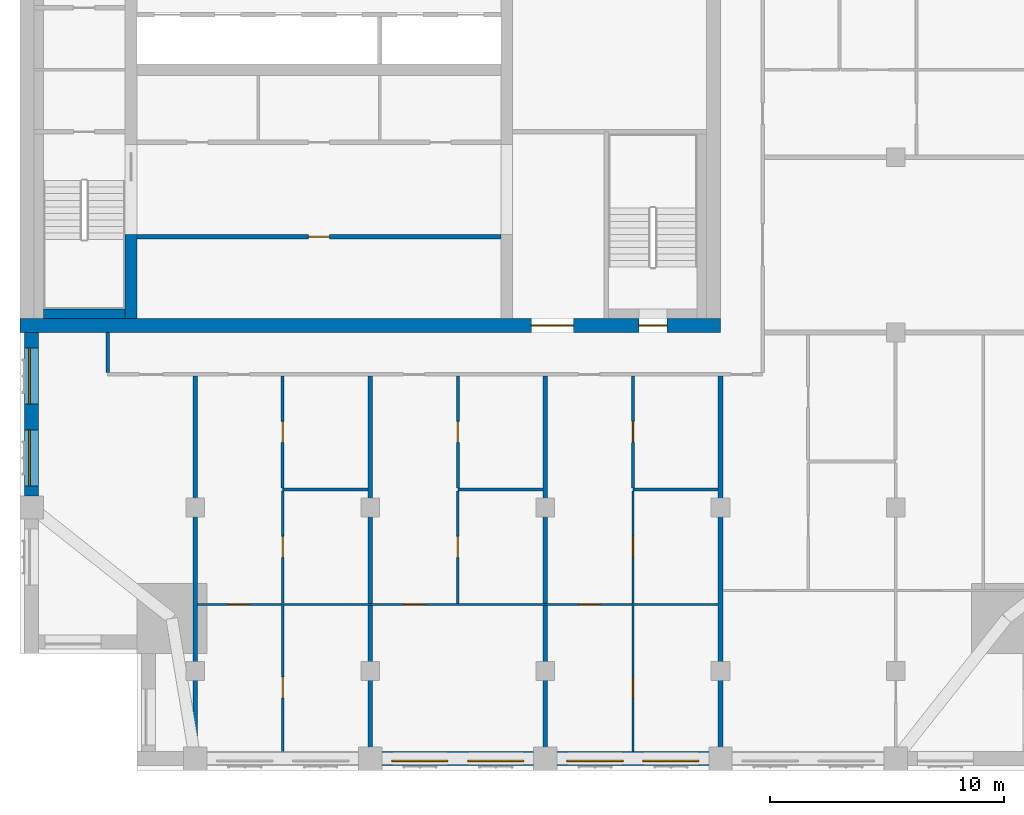
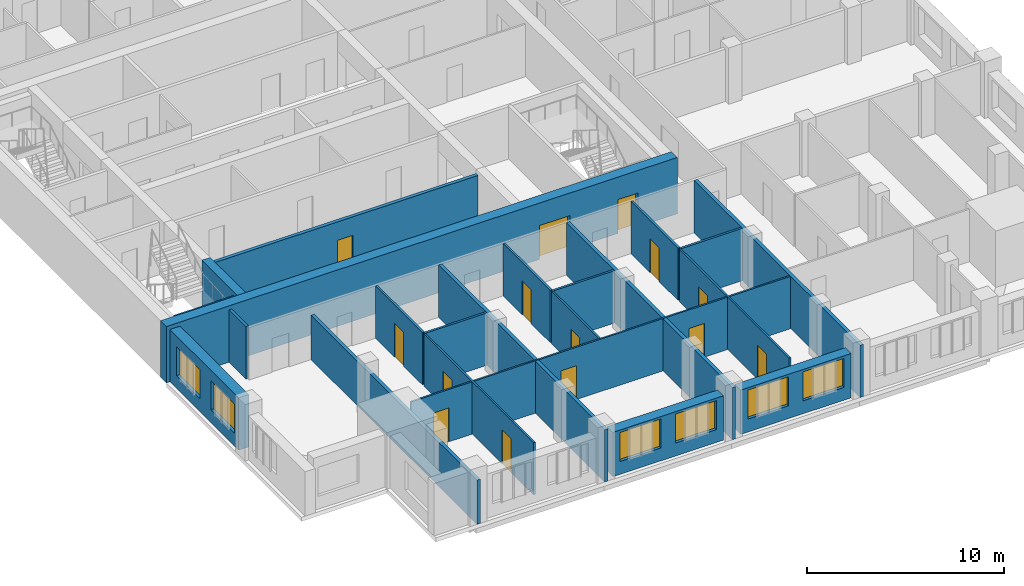
# One storey, part 3 of 11: 22 walls, 14 doors, 6 windows, 20 openings.
"""IFC4 building model written with IfcOpenShell, lengths in metres."""

from ifc_helpers import new_model, si_unit, direction, frame, frame_2d, origin, place, context, subcontext, project, spatial, rectangle, extrude, material, layer, layer_set, type_object, element, fill, save


model = new_model("IFC4")

# Units and contexts
model_context = context("Model", 3, precision=1e-05, world=origin(), true_north=direction((0.0, 1.0)))
body_context = subcontext(model_context, "Body", "Model", "MODEL_VIEW")
ifc_project = project(units=[si_unit("LENGTHUNIT", "METRE"), si_unit("AREAUNIT", "SQUARE_METRE"), si_unit("VOLUMEUNIT", "CUBIC_METRE"), si_unit("PLANEANGLEUNIT", "RADIAN"), si_unit("MASSUNIT", "GRAM", prefix="KILO")], contexts=[model_context])

# Site, building, storey
site_placement = place(None, origin())
site = spatial("IfcSite", under=ifc_project, at=site_placement, CompositionType="ELEMENT")
building_placement = place(site_placement, origin())
building = spatial("IfcBuilding", under=site, at=building_placement, Name="Tamorin Gate", CompositionType="ELEMENT")
storey_placement = place(building_placement, frame((0.0, 0.0, 226.699951171875)))
storey = spatial("IfcBuildingStorey", under=building, at=storey_placement, Name="L56", CompositionType="ELEMENT", Elevation=226.699951171875)

# Wall, openings, windows
ifc_material_1 = material(Name="Precast concrete C40/50", Category="concrete")
ifc_layer_1 = layer(ifc_material_1, 0.60009765625)
ifc_layer_set_1 = layer_set([ifc_layer_1], Name="Precast concrete C40/50")
wall_type_1 = type_object("IfcWallType", Name="Board-marked concrete facade panel 600", PredefinedType="SOLIDWALL", material=ifc_layer_set_1)
wall_1_placement = place(storey_placement, frame((45.5, 41.75, 0.0), z_axis=(0.0, 0.0, 1.0), x_axis=(1.0, 0.0, 0.0)))
wall_1 = element("IfcWall", 1, at=wall_1_placement, inside=storey, type_object=wall_type_1, Name="Facade panel", PredefinedType="SOLIDWALL", context=body_context, shape_type="SweptSolid", body=[
    extrude(rectangle(XDim=6.5, YDim=0.60009765625, at=frame_2d((3.25, 0.0))), origin(), (0.0, 0.0, 1.0), 2.75),
])
opening_1_placement = place(wall_1_placement, frame((0.425048828125, 0.0, 0.800048828125)))
opening_1 = element("IfcOpeningElement", 2, at=opening_1_placement, cuts=wall_1, Name="Opening WN1", PredefinedType="OPENING", context=body_context, shape_type="SweptSolid", body=[
    extrude(rectangle(XDim=2.39990234375, YDim=1.800048828125, at=frame_2d((1.199951171875, 0.89990234375))), frame((0.0, 0.31005859375, 0.0), z_axis=(0.0, -1.0, 0.0), x_axis=(1.0, 0.0, 0.0)), (0.0, 0.0, 1.0), 0.6201171875),
])
opening_2_placement = place(wall_1_placement, frame((3.675048828125, 0.0, 0.800048828125)))
opening_2 = element("IfcOpeningElement", 3, at=opening_2_placement, cuts=wall_1, Name="Opening WN1", PredefinedType="OPENING", context=body_context, shape_type="SweptSolid", body=[
    extrude(rectangle(XDim=2.39990234375, YDim=1.800048828125, at=frame_2d((1.199951171875, 0.89990234375))), frame((0.0, 0.31005859375, 0.0), z_axis=(0.0, -1.0, 0.0), x_axis=(1.0, 0.0, 0.0)), (0.0, 0.0, 1.0), 0.6201171875),
])
ifc_material_2 = material(Name="Clear glass in aluminium frame", Category="aluminium")
window_type = type_object("IfcWindowType", Name="Deep-set window 2400x1800", PartitioningType="SINGLE_PANEL", PredefinedType="WINDOW", material=ifc_material_2)
window_1_placement = place(opening_1_placement, origin())
window_1 = element("IfcWindow", 4, at=window_1_placement, inside=storey, type_object=window_type, Name="Deep-set window", OverallHeight=1.800048828125, OverallWidth=2.39990234375, PartitioningType="SINGLE_PANEL", PredefinedType="WINDOW", context=body_context, shape_type="SweptSolid", body=[
    extrude(rectangle(XDim=2.39990234375, YDim=1.800048828125, at=frame_2d((1.199951171875, 0.89990234375))), frame((0.0, -0.070068359375, 0.0), z_axis=(0.0, -1.0, 0.0), x_axis=(1.0, 0.0, 0.0)), (0.0, 0.0, 1.0), 0.06005859375),
])
fill(opening_1, window_1)
window_2_placement = place(opening_2_placement, origin())
window_2 = element("IfcWindow", 5, at=window_2_placement, inside=storey, type_object=window_type, Name="Deep-set window", OverallHeight=1.800048828125, OverallWidth=2.39990234375, PartitioningType="SINGLE_PANEL", PredefinedType="WINDOW", context=body_context, shape_type="SweptSolid", body=[
    extrude(rectangle(XDim=2.39990234375, YDim=1.800048828125, at=frame_2d((1.199951171875, 0.89990234375))), frame((0.0, -0.070068359375, 0.0), z_axis=(0.0, -1.0, 0.0), x_axis=(1.0, 0.0, 0.0)), (0.0, 0.0, 1.0), 0.06005859375),
])
fill(opening_2, window_2)

wall_2_placement = place(storey_placement, frame((53.0, 41.75, 0.0), z_axis=(0.0, 0.0, 1.0), x_axis=(1.0, 0.0, 0.0)))
wall_2 = element("IfcWall", 6, at=wall_2_placement, inside=storey, type_object=wall_type_1, Name="Facade panel", PredefinedType="SOLIDWALL", context=body_context, shape_type="SweptSolid", body=[
    extrude(rectangle(XDim=6.5, YDim=0.60009765625, at=frame_2d((3.25, 0.0))), origin(), (0.0, 0.0, 1.0), 2.75),
])
opening_3_placement = place(wall_2_placement, frame((0.425048828125, 0.0, 0.800048828125)))
opening_3 = element("IfcOpeningElement", 7, at=opening_3_placement, cuts=wall_2, Name="Opening WN1", PredefinedType="OPENING", context=body_context, shape_type="SweptSolid", body=[
    extrude(rectangle(XDim=2.39990234375, YDim=1.800048828125, at=frame_2d((1.199951171875, 0.89990234375))), frame((0.0, 0.31005859375, 0.0), z_axis=(0.0, -1.0, 0.0), x_axis=(1.0, 0.0, 0.0)), (0.0, 0.0, 1.0), 0.6201171875),
])
opening_4_placement = place(wall_2_placement, frame((3.675048828125, 0.0, 0.800048828125)))
opening_4 = element("IfcOpeningElement", 8, at=opening_4_placement, cuts=wall_2, Name="Opening WN1", PredefinedType="OPENING", context=body_context, shape_type="SweptSolid", body=[
    extrude(rectangle(XDim=2.39990234375, YDim=1.800048828125, at=frame_2d((1.199951171875, 0.89990234375))), frame((0.0, 0.31005859375, 0.0), z_axis=(0.0, -1.0, 0.0), x_axis=(1.0, 0.0, 0.0)), (0.0, 0.0, 1.0), 0.6201171875),
])
window_3_placement = place(opening_3_placement, origin())
window_3 = element("IfcWindow", 9, at=window_3_placement, inside=storey, type_object=window_type, Name="Deep-set window", OverallHeight=1.800048828125, OverallWidth=2.39990234375, PartitioningType="SINGLE_PANEL", PredefinedType="WINDOW", context=body_context, shape_type="SweptSolid", body=[
    extrude(rectangle(XDim=2.39990234375, YDim=1.800048828125, at=frame_2d((1.199951171875, 0.89990234375))), frame((0.0, -0.070068359375, 0.0), z_axis=(0.0, -1.0, 0.0), x_axis=(1.0, 0.0, 0.0)), (0.0, 0.0, 1.0), 0.06005859375),
])
fill(opening_3, window_3)
window_4_placement = place(opening_4_placement, origin())
window_4 = element("IfcWindow", 10, at=window_4_placement, inside=storey, type_object=window_type, Name="Deep-set window", OverallHeight=1.800048828125, OverallWidth=2.39990234375, PartitioningType="SINGLE_PANEL", PredefinedType="WINDOW", context=body_context, shape_type="SweptSolid", body=[
    extrude(rectangle(XDim=2.39990234375, YDim=1.800048828125, at=frame_2d((1.199951171875, 0.89990234375))), frame((0.0, -0.070068359375, 0.0), z_axis=(0.0, -1.0, 0.0), x_axis=(1.0, 0.0, 0.0)), (0.0, 0.0, 1.0), 0.06005859375),
])
fill(opening_4, window_4)

wall_3_placement = place(storey_placement, frame((30.5, 60.0, 0.0), z_axis=(0.0, 0.0, 1.0), x_axis=(0.0, -1.0, 0.0)))
wall_3 = element("IfcWall", 11, at=wall_3_placement, inside=storey, type_object=wall_type_1, Name="Facade panel", PredefinedType="SOLIDWALL", context=body_context, shape_type="SweptSolid", body=[
    extrude(rectangle(XDim=7.0, YDim=0.60009765625, at=frame_2d((3.5, 0.0))), origin(), (0.0, 0.0, 1.0), 3.25),
])
opening_5_placement = place(wall_3_placement, frame((4.175048828125, 0.0, 0.800048828125)))
opening_5 = element("IfcOpeningElement", 12, at=opening_5_placement, cuts=wall_3, Name="Opening WN1", PredefinedType="OPENING", context=body_context, shape_type="SweptSolid", body=[
    extrude(rectangle(XDim=2.39990234375, YDim=1.800048828125, at=frame_2d((1.199951171875, 0.89990234375))), frame((0.0, 0.31005859375, 0.0), z_axis=(0.0, -1.0, 0.0), x_axis=(1.0, 0.0, 0.0)), (0.0, 0.0, 1.0), 0.6201171875),
])
opening_6_placement = place(wall_3_placement, frame((0.675048828125, 0.0, 0.800048828125)))
opening_6 = element("IfcOpeningElement", 13, at=opening_6_placement, cuts=wall_3, Name="Opening WN1", PredefinedType="OPENING", context=body_context, shape_type="SweptSolid", body=[
    extrude(rectangle(XDim=2.39990234375, YDim=1.800048828125, at=frame_2d((1.199951171875, 0.89990234375))), frame((0.0, 0.31005859375, 0.0), z_axis=(0.0, -1.0, 0.0), x_axis=(1.0, 0.0, 0.0)), (0.0, 0.0, 1.0), 0.6201171875),
])
window_5_placement = place(opening_5_placement, origin())
window_5 = element("IfcWindow", 14, at=window_5_placement, inside=storey, type_object=window_type, Name="Deep-set window", OverallHeight=1.800048828125, OverallWidth=2.39990234375, PartitioningType="SINGLE_PANEL", PredefinedType="WINDOW", context=body_context, shape_type="SweptSolid", body=[
    extrude(rectangle(XDim=2.39990234375, YDim=1.800048828125, at=frame_2d((1.199951171875, 0.89990234375))), frame((0.0, -0.070068359375, 0.0), z_axis=(0.0, -1.0, 0.0), x_axis=(1.0, 0.0, 0.0)), (0.0, 0.0, 1.0), 0.06005859375),
])
fill(opening_5, window_5)
window_6_placement = place(opening_6_placement, origin())
window_6 = element("IfcWindow", 15, at=window_6_placement, inside=storey, type_object=window_type, Name="Deep-set window", OverallHeight=1.800048828125, OverallWidth=2.39990234375, PartitioningType="SINGLE_PANEL", PredefinedType="WINDOW", context=body_context, shape_type="SweptSolid", body=[
    extrude(rectangle(XDim=2.39990234375, YDim=1.800048828125, at=frame_2d((1.199951171875, 0.89990234375))), frame((0.0, -0.070068359375, 0.0), z_axis=(0.0, -1.0, 0.0), x_axis=(1.0, 0.0, 0.0)), (0.0, 0.0, 1.0), 0.06005859375),
])
fill(opening_6, window_6)

# Walls
ifc_material_3 = material(Name="Gypsum board partition")
ifc_layer_2 = layer(ifc_material_3, 0.14990234375)
ifc_layer_set_2 = layer_set([ifc_layer_2], Name="Corridor wall 150")
wall_type_2 = type_object("IfcWallType", Name="Corridor wall 150", PredefinedType="PARTITIONING", material=ifc_layer_set_2)
wall_4_placement = place(storey_placement, frame((33.75, 58.27490234375, 0.0), z_axis=(0.0, 0.0, 1.0), x_axis=(0.0, 1.0, 0.0)))
element("IfcWall", 16, at=wall_4_placement, inside=storey, type_object=wall_type_2, Name="Corridor wall 150", PredefinedType="PARTITIONING", context=body_context, shape_type="SweptSolid", body=[
    extrude(rectangle(XDim=1.72509765625, YDim=0.14990234375, at=frame_2d((0.862548828125, 0.0))), origin(), (0.0, 0.0, 1.0), 3.25),
])
ifc_layer_3 = layer(ifc_material_3, 0.199951171875)
ifc_layer_set_3 = layer_set([ifc_layer_3], Name="Demising wall 200")
wall_type_3 = type_object("IfcWallType", Name="Demising wall 200", PredefinedType="PARTITIONING", material=ifc_layer_set_3)
wall_5_placement = place(storey_placement, frame((37.5, 41.25, 0.0), z_axis=(0.0, 0.0, 1.0), x_axis=(0.0, 1.0, 0.0)))
element("IfcWall", 17, at=wall_5_placement, inside=storey, type_object=wall_type_3, Name="Demising wall 200", PredefinedType="PARTITIONING", context=body_context, shape_type="SweptSolid", body=[
    extrude(rectangle(XDim=16.875, YDim=0.199951171875, at=frame_2d((8.4375, 0.0))), origin(), (0.0, 0.0, 1.0), 2.75),
])
for number, where, z_axis, x_axis, name in (
    (18, (45.0, 41.25, 0.0), (0.0, 0.0, 1.0), (0.0, 1.0, 0.0), "Demising wall 200"),
    (19, (52.5, 41.25, 0.0), (0.0, 0.0, 1.0), (0.0, 1.0, 0.0), "Demising wall 200"),
    (20, (60.0, 41.25, 0.0), (0.0, 0.0, 1.0), (0.0, 1.0, 0.0), "Demising wall 200"),
):
    element("IfcWall", number, at=place(storey_placement, frame(where, z_axis=z_axis, x_axis=x_axis)), inside=storey, type_object=wall_type_3, Name=name, PredefinedType="PARTITIONING", context=body_context, shape_type="SweptSolid", body=[
        extrude(rectangle(XDim=16.875, YDim=0.199951171875, at=frame_2d((8.4375, 0.0))), origin(), (0.0, 0.0, 1.0), 3.25),
    ])
ifc_material_4 = material(Name="Concrete C50/60", Category="concrete")
ifc_layer_4 = layer(ifc_material_4, 0.5)
ifc_layer_set_4 = layer_set([ifc_layer_4], Name="RC core internal wall 500 C50/60")
wall_type_4 = type_object("IfcWallType", Name="RC core internal wall 500 C50/60", PredefinedType="SHEAR", material=ifc_layer_set_4)
wall_6_placement = place(storey_placement, frame((34.75, 60.60009765625, 0.0), z_axis=(0.0, 0.0, 1.0), x_axis=(0.0, 1.0, 0.0)))
element("IfcWall", 21, at=wall_6_placement, inside=storey, type_object=wall_type_4, Name="Core cross wall L56", PredefinedType="SHEAR", context=body_context, shape_type="SweptSolid", body=[
    extrude(rectangle(XDim=3.599853515625, YDim=0.5, at=frame_2d((1.7998046875, 0.0))), origin(), (0.0, 0.0, 1.0), 3.5),
])

# Wall, openings, doors
ifc_layer_5 = layer(ifc_material_4, 0.60009765625)
ifc_layer_set_5 = layer_set([ifc_layer_5], Name="RC core wall 600 C50/60")
wall_type_5 = type_object("IfcWallType", Name="RC core wall 600 C50/60", PredefinedType="SHEAR", material=ifc_layer_set_5)
wall_7_placement = place(storey_placement, frame((30.0, 60.300048828125, 0.0), z_axis=(0.0, 0.0, 1.0), x_axis=(1.0, 0.0, 0.0)))
wall_7 = element("IfcWall", 22, at=wall_7_placement, inside=storey, type_object=wall_type_5, Name="Core wall L56", PredefinedType="SHEAR", context=body_context, shape_type="SweptSolid", body=[
    extrude(rectangle(XDim=30.0, YDim=0.60009765625, at=frame_2d((15.0, 0.0))), origin(), (0.0, 0.0, 1.0), 3.5),
])
opening_7_placement = place(wall_7_placement, frame((21.89990234375, 0.0, 0.0)))
opening_7 = element("IfcOpeningElement", 23, at=opening_7_placement, cuts=wall_7, Name="Opening DE1", PredefinedType="OPENING", context=body_context, shape_type="SweptSolid", body=[
    extrude(rectangle(XDim=1.800048828125, YDim=2.10009765625, at=frame_2d((0.89990234375, 1.050048828125))), frame((0.0, 0.31005859375, 0.0), z_axis=(0.0, -1.0, 0.0), x_axis=(1.0, 0.0, 0.0)), (0.0, 0.0, 1.0), 0.6201171875),
])
opening_8_placement = place(wall_7_placement, frame((26.5, 0.0, 0.0)))
opening_8 = element("IfcOpeningElement", 24, at=opening_8_placement, cuts=wall_7, Name="Opening DS1", PredefinedType="OPENING", context=body_context, shape_type="SweptSolid", body=[
    extrude(rectangle(XDim=1.199951171875, YDim=2.10009765625, at=frame_2d((0.60009765625, 1.050048828125))), frame((0.0, 0.31005859375, 0.0), z_axis=(0.0, -1.0, 0.0), x_axis=(1.0, 0.0, 0.0)), (0.0, 0.0, 1.0), 0.6201171875),
])
ifc_material_5 = material(Name="Steel fire door", Category="steel")
door_type_1 = type_object("IfcDoorType", Name="Lobby exit double door 1800 x 2100 EI 60", OperationType="DOUBLE_DOOR_SINGLE_SWING", PredefinedType="DOOR", material=ifc_material_5)
door_1_placement = place(opening_7_placement, origin())
door_1 = element("IfcDoor", 25, at=door_1_placement, inside=storey, type_object=door_type_1, Name="Lift lobby A exit door", OperationType="DOUBLE_DOOR_SINGLE_SWING", OverallHeight=2.10009765625, OverallWidth=1.800048828125, PredefinedType="DOOR", context=body_context, shape_type="SweptSolid", body=[
    extrude(rectangle(XDim=1.800048828125, YDim=2.10009765625, at=frame_2d((0.89990234375, 1.050048828125))), frame((0.0, 0.02490234375, 0.0), z_axis=(0.0, -1.0, 0.0), x_axis=(1.0, 0.0, 0.0)), (0.0, 0.0, 1.0), 0.050048828125),
])
fill(opening_7, door_1)
door_type_2 = type_object("IfcDoorType", Name="Stair door 1200 x 2100 EI 90", OperationType="SINGLE_SWING_LEFT", PredefinedType="DOOR", material=ifc_material_5)
door_2_placement = place(opening_8_placement, origin())
door_2 = element("IfcDoor", 26, at=door_2_placement, inside=storey, type_object=door_type_2, Name="ST3 door", OperationType="SINGLE_SWING_LEFT", OverallHeight=2.10009765625, OverallWidth=1.199951171875, PredefinedType="DOOR", context=body_context, shape_type="SweptSolid", body=[
    extrude(rectangle(XDim=1.199951171875, YDim=2.10009765625, at=frame_2d((0.60009765625, 1.050048828125))), frame((0.0, 0.02490234375, 0.0), z_axis=(0.0, -1.0, 0.0), x_axis=(1.0, 0.0, 0.0)), (0.0, 0.0, 1.0), 0.050048828125),
])
fill(opening_8, door_2)

ifc_layer_6 = layer(ifc_material_3, 0.10009765625)
ifc_layer_set_6 = layer_set([ifc_layer_6], Name="Room partition 100")
wall_type_6 = type_object("IfcWallType", Name="Room partition 100", PredefinedType="PARTITIONING", material=ifc_layer_set_6)
wall_8_placement = place(storey_placement, frame((37.60009765625, 48.35009765625, 0.0), z_axis=(0.0, 0.0, 1.0), x_axis=(1.0, 0.0, 0.0)))
wall_8 = element("IfcWall", 27, at=wall_8_placement, inside=storey, type_object=wall_type_6, Name="Room partition 100", PredefinedType="PARTITIONING", context=body_context, shape_type="SweptSolid", body=[
    extrude(rectangle(XDim=22.2998046875, YDim=0.10009765625, at=frame_2d((11.14990234375, 0.0))), origin(), (0.0, 0.0, 1.0), 3.25),
])
opening_9_placement = place(wall_8_placement, frame((1.324951171875, 0.0, 0.0)))
opening_9 = element("IfcOpeningElement", 28, at=opening_9_placement, cuts=wall_8, Name="Opening DR6003", PredefinedType="OPENING", context=body_context, shape_type="SweptSolid", body=[
    extrude(rectangle(XDim=0.89990234375, YDim=2.10009765625, at=frame_2d((0.449951171875, 1.050048828125))), frame((0.0, 0.06005859375, 0.0), z_axis=(0.0, -1.0, 0.0), x_axis=(1.0, 0.0, 0.0)), (0.0, 0.0, 1.0), 0.1201171875),
])
opening_10_placement = place(wall_8_placement, frame((8.824951171875, 0.0, 0.0)))
opening_10 = element("IfcOpeningElement", 29, at=opening_10_placement, cuts=wall_8, Name="Opening DR6008", PredefinedType="OPENING", context=body_context, shape_type="SweptSolid", body=[
    extrude(rectangle(XDim=0.89990234375, YDim=2.10009765625, at=frame_2d((0.449951171875, 1.050048828125))), frame((0.0, 0.06005859375, 0.0), z_axis=(0.0, -1.0, 0.0), x_axis=(1.0, 0.0, 0.0)), (0.0, 0.0, 1.0), 0.1201171875),
])
opening_11_placement = place(wall_8_placement, frame((16.324951171875, 0.0, 0.0)))
opening_11 = element("IfcOpeningElement", 30, at=opening_11_placement, cuts=wall_8, Name="Opening DR6012", PredefinedType="OPENING", context=body_context, shape_type="SweptSolid", body=[
    extrude(rectangle(XDim=0.89990234375, YDim=2.10009765625, at=frame_2d((0.449951171875, 1.050048828125))), frame((0.0, 0.06005859375, 0.0), z_axis=(0.0, -1.0, 0.0), x_axis=(1.0, 0.0, 0.0)), (0.0, 0.0, 1.0), 0.1201171875),
])
ifc_material_6 = material(Name="Timber door leaf", Category="wood")
door_type_3 = type_object("IfcDoorType", Name="Door 900 x 2100", OperationType="NOTDEFINED", PredefinedType="DOOR", material=ifc_material_6)
door_3_placement = place(opening_9_placement, origin())
door_3 = element("IfcDoor", 31, at=door_3_placement, inside=storey, type_object=door_type_3, Name="Door DR6003", OperationType="SINGLE_SWING_LEFT", OverallHeight=2.10009765625, OverallWidth=0.89990234375, PredefinedType="DOOR", context=body_context, shape_type="SweptSolid", body=[
    extrude(rectangle(XDim=0.89990234375, YDim=2.10009765625, at=frame_2d((0.449951171875, 1.050048828125))), frame((0.0, 0.02490234375, 0.0), z_axis=(0.0, -1.0, 0.0), x_axis=(1.0, 0.0, 0.0)), (0.0, 0.0, 1.0), 0.050048828125),
])
fill(opening_9, door_3)
door_4_placement = place(opening_10_placement, origin())
door_4 = element("IfcDoor", 32, at=door_4_placement, inside=storey, type_object=door_type_3, Name="Door DR6008", OperationType="SINGLE_SWING_LEFT", OverallHeight=2.10009765625, OverallWidth=0.89990234375, PredefinedType="DOOR", context=body_context, shape_type="SweptSolid", body=[
    extrude(rectangle(XDim=0.89990234375, YDim=2.10009765625, at=frame_2d((0.449951171875, 1.050048828125))), frame((0.0, 0.02490234375, 0.0), z_axis=(0.0, -1.0, 0.0), x_axis=(1.0, 0.0, 0.0)), (0.0, 0.0, 1.0), 0.050048828125),
])
fill(opening_10, door_4)
door_5_placement = place(opening_11_placement, origin())
door_5 = element("IfcDoor", 33, at=door_5_placement, inside=storey, type_object=door_type_3, Name="Door DR6012", OperationType="SINGLE_SWING_LEFT", OverallHeight=2.10009765625, OverallWidth=0.89990234375, PredefinedType="DOOR", context=body_context, shape_type="SweptSolid", body=[
    extrude(rectangle(XDim=0.89990234375, YDim=2.10009765625, at=frame_2d((0.449951171875, 1.050048828125))), frame((0.0, 0.02490234375, 0.0), z_axis=(0.0, -1.0, 0.0), x_axis=(1.0, 0.0, 0.0)), (0.0, 0.0, 1.0), 0.050048828125),
])
fill(opening_11, door_5)

wall_9_placement = place(storey_placement, frame((41.25, 42.06005859375, 0.0), z_axis=(0.0, 0.0, 1.0), x_axis=(0.0, 1.0, 0.0)))
wall_9 = element("IfcWall", 34, at=wall_9_placement, inside=storey, type_object=wall_type_6, Name="Room partition 100", PredefinedType="PARTITIONING", context=body_context, shape_type="SweptSolid", body=[
    extrude(rectangle(XDim=11.15234375, YDim=0.10009765625, at=frame_2d((5.576171875, 0.0))), origin(), (0.0, 0.0, 1.0), 3.25),
])
opening_12_placement = place(wall_9_placement, frame((8.302490234375, 0.0, 0.0)))
opening_12 = element("IfcOpeningElement", 35, at=opening_12_placement, cuts=wall_9, Name="Opening DR6004", PredefinedType="OPENING", context=body_context, shape_type="SweptSolid", body=[
    extrude(rectangle(XDim=0.89990234375, YDim=2.10009765625, at=frame_2d((0.449951171875, 1.050048828125))), frame((0.0, 0.06005859375, 0.0), z_axis=(0.0, -1.0, 0.0), x_axis=(1.0, 0.0, 0.0)), (0.0, 0.0, 1.0), 0.1201171875),
])
opening_13_placement = place(wall_9_placement, frame((2.2900390625, 0.0, 0.0)))
opening_13 = element("IfcOpeningElement", 36, at=opening_13_placement, cuts=wall_9, Name="Opening DR6006", PredefinedType="OPENING", context=body_context, shape_type="SweptSolid", body=[
    extrude(rectangle(XDim=0.89990234375, YDim=2.10009765625, at=frame_2d((0.449951171875, 1.050048828125))), frame((0.0, 0.06005859375, 0.0), z_axis=(0.0, -1.0, 0.0), x_axis=(1.0, 0.0, 0.0)), (0.0, 0.0, 1.0), 0.1201171875),
])
door_6_placement = place(opening_12_placement, origin())
door_6 = element("IfcDoor", 37, at=door_6_placement, inside=storey, type_object=door_type_3, Name="Door DR6004", OperationType="SINGLE_SWING_LEFT", OverallHeight=2.10009765625, OverallWidth=0.89990234375, PredefinedType="DOOR", context=body_context, shape_type="SweptSolid", body=[
    extrude(rectangle(XDim=0.89990234375, YDim=2.10009765625, at=frame_2d((0.449951171875, 1.050048828125))), frame((0.0, 0.02490234375, 0.0), z_axis=(0.0, -1.0, 0.0), x_axis=(1.0, 0.0, 0.0)), (0.0, 0.0, 1.0), 0.050048828125),
])
fill(opening_12, door_6)
door_7_placement = place(opening_13_placement, origin())
door_7 = element("IfcDoor", 38, at=door_7_placement, inside=storey, type_object=door_type_3, Name="Door DR6006", OperationType="SINGLE_SWING_LEFT", OverallHeight=2.10009765625, OverallWidth=0.89990234375, PredefinedType="DOOR", context=body_context, shape_type="SweptSolid", body=[
    extrude(rectangle(XDim=0.89990234375, YDim=2.10009765625, at=frame_2d((0.449951171875, 1.050048828125))), frame((0.0, 0.02490234375, 0.0), z_axis=(0.0, -1.0, 0.0), x_axis=(1.0, 0.0, 0.0)), (0.0, 0.0, 1.0), 0.050048828125),
])
fill(opening_13, door_7)

# Wall, opening, door
wall_10_placement = place(storey_placement, frame((48.75, 48.39990234375, 0.0), z_axis=(0.0, 0.0, 1.0), x_axis=(0.0, 1.0, 0.0)))
wall_10 = element("IfcWall", 39, at=wall_10_placement, inside=storey, type_object=wall_type_6, Name="Room partition 100", PredefinedType="PARTITIONING", context=body_context, shape_type="SweptSolid", body=[
    extrude(rectangle(XDim=4.8125, YDim=0.10009765625, at=frame_2d((2.40625, 0.0))), origin(), (0.0, 0.0, 1.0), 3.25),
])
opening_14_placement = place(wall_10_placement, frame((1.96240234375, 0.0, 0.0)))
opening_14 = element("IfcOpeningElement", 40, at=opening_14_placement, cuts=wall_10, Name="Opening DR6009", PredefinedType="OPENING", context=body_context, shape_type="SweptSolid", body=[
    extrude(rectangle(XDim=0.89990234375, YDim=2.10009765625, at=frame_2d((0.449951171875, 1.050048828125))), frame((0.0, 0.06005859375, 0.0), z_axis=(0.0, -1.0, 0.0), x_axis=(1.0, 0.0, 0.0)), (0.0, 0.0, 1.0), 0.1201171875),
])
door_8_placement = place(opening_14_placement, origin())
door_8 = element("IfcDoor", 41, at=door_8_placement, inside=storey, type_object=door_type_3, Name="Door DR6009", OperationType="SINGLE_SWING_LEFT", OverallHeight=2.10009765625, OverallWidth=0.89990234375, PredefinedType="DOOR", context=body_context, shape_type="SweptSolid", body=[
    extrude(rectangle(XDim=0.89990234375, YDim=2.10009765625, at=frame_2d((0.449951171875, 1.050048828125))), frame((0.0, 0.02490234375, 0.0), z_axis=(0.0, -1.0, 0.0), x_axis=(1.0, 0.0, 0.0)), (0.0, 0.0, 1.0), 0.050048828125),
])
fill(opening_14, door_8)

# Wall, openings, doors
wall_11_placement = place(storey_placement, frame((56.25, 42.06005859375, 0.0), z_axis=(0.0, 0.0, 1.0), x_axis=(0.0, 1.0, 0.0)))
wall_11 = element("IfcWall", 42, at=wall_11_placement, inside=storey, type_object=wall_type_6, Name="Room partition 100", PredefinedType="PARTITIONING", context=body_context, shape_type="SweptSolid", body=[
    extrude(rectangle(XDim=11.15234375, YDim=0.10009765625, at=frame_2d((5.576171875, 0.0))), origin(), (0.0, 0.0, 1.0), 3.25),
])
opening_15_placement = place(wall_11_placement, frame((8.302490234375, 0.0, 0.0)))
opening_15 = element("IfcOpeningElement", 43, at=opening_15_placement, cuts=wall_11, Name="Opening DR6013", PredefinedType="OPENING", context=body_context, shape_type="SweptSolid", body=[
    extrude(rectangle(XDim=0.89990234375, YDim=2.10009765625, at=frame_2d((0.449951171875, 1.050048828125))), frame((0.0, 0.06005859375, 0.0), z_axis=(0.0, -1.0, 0.0), x_axis=(1.0, 0.0, 0.0)), (0.0, 0.0, 1.0), 0.1201171875),
])
opening_16_placement = place(wall_11_placement, frame((2.2900390625, 0.0, 0.0)))
opening_16 = element("IfcOpeningElement", 44, at=opening_16_placement, cuts=wall_11, Name="Opening DR6015", PredefinedType="OPENING", context=body_context, shape_type="SweptSolid", body=[
    extrude(rectangle(XDim=0.89990234375, YDim=2.10009765625, at=frame_2d((0.449951171875, 1.050048828125))), frame((0.0, 0.06005859375, 0.0), z_axis=(0.0, -1.0, 0.0), x_axis=(1.0, 0.0, 0.0)), (0.0, 0.0, 1.0), 0.1201171875),
])
door_9_placement = place(opening_15_placement, origin())
door_9 = element("IfcDoor", 45, at=door_9_placement, inside=storey, type_object=door_type_3, Name="Door DR6013", OperationType="SINGLE_SWING_LEFT", OverallHeight=2.10009765625, OverallWidth=0.89990234375, PredefinedType="DOOR", context=body_context, shape_type="SweptSolid", body=[
    extrude(rectangle(XDim=0.89990234375, YDim=2.10009765625, at=frame_2d((0.449951171875, 1.050048828125))), frame((0.0, 0.02490234375, 0.0), z_axis=(0.0, -1.0, 0.0), x_axis=(1.0, 0.0, 0.0)), (0.0, 0.0, 1.0), 0.050048828125),
])
fill(opening_15, door_9)
door_10_placement = place(opening_16_placement, origin())
door_10 = element("IfcDoor", 46, at=door_10_placement, inside=storey, type_object=door_type_3, Name="Door DR6015", OperationType="SINGLE_SWING_LEFT", OverallHeight=2.10009765625, OverallWidth=0.89990234375, PredefinedType="DOOR", context=body_context, shape_type="SweptSolid", body=[
    extrude(rectangle(XDim=0.89990234375, YDim=2.10009765625, at=frame_2d((0.449951171875, 1.050048828125))), frame((0.0, 0.02490234375, 0.0), z_axis=(0.0, -1.0, 0.0), x_axis=(1.0, 0.0, 0.0)), (0.0, 0.0, 1.0), 0.050048828125),
])
fill(opening_16, door_10)

# Wall, opening, door
ifc_layer_7 = layer(ifc_material_3, 0.199951171875)
ifc_layer_set_7 = layer_set([ifc_layer_7], Name="Service room face wall 200 EI 60")
wall_type_7 = type_object("IfcWallType", Name="Service room face wall 200 EI 60", PredefinedType="PARTITIONING", material=ifc_layer_set_7)
wall_12_placement = place(storey_placement, frame((35.0, 64.10009765625, 0.0), z_axis=(0.0, 0.0, 1.0), x_axis=(1.0, 0.0, 0.0)))
wall_12 = element("IfcWall", 47, at=wall_12_placement, inside=storey, type_object=wall_type_7, Name="Service room face wall", PredefinedType="PARTITIONING", context=body_context, shape_type="SweptSolid", body=[
    extrude(rectangle(XDim=15.60009765625, YDim=0.199951171875, at=frame_2d((7.800048828125, 0.0))), origin(), (0.0, 0.0, 1.0), 3.25),
])
opening_17_placement = place(wall_12_placement, frame((7.35009765625, 0.0, 0.0)))
opening_17 = element("IfcOpeningElement", 48, at=opening_17_placement, cuts=wall_12, Name="Opening DK1", PredefinedType="OPENING", context=body_context, shape_type="SweptSolid", body=[
    extrude(rectangle(XDim=0.89990234375, YDim=2.10009765625, at=frame_2d((0.449951171875, 1.050048828125))), frame((0.0, 0.10986328125, 0.0), z_axis=(0.0, -1.0, 0.0), x_axis=(1.0, 0.0, 0.0)), (0.0, 0.0, 1.0), 0.219970703125),
])
ifc_material_7 = material(Name="Timber fire door", Category="wood")
door_type_4 = type_object("IfcDoorType", Name="Service room door 900 x 2100 EI 60", OperationType="SINGLE_SWING_LEFT", PredefinedType="DOOR", material=ifc_material_7)
door_11_placement = place(opening_17_placement, origin())
door_11 = element("IfcDoor", 49, at=door_11_placement, inside=storey, type_object=door_type_4, Name="Door Housekeeping store", OperationType="SINGLE_SWING_RIGHT", OverallHeight=2.10009765625, OverallWidth=0.89990234375, PredefinedType="DOOR", context=body_context, shape_type="SweptSolid", body=[
    extrude(rectangle(XDim=0.89990234375, YDim=2.10009765625, at=frame_2d((0.449951171875, 1.050048828125))), frame((0.0, 0.02490234375, 0.0), z_axis=(0.0, -1.0, 0.0), x_axis=(1.0, 0.0, 0.0)), (0.0, 0.0, 1.0), 0.050048828125),
])
fill(opening_17, door_11)

# Walls
ifc_layer_8 = layer(ifc_material_4, 0.39990234375)
ifc_layer_set_8 = layer_set([ifc_layer_8], Name="Stair lining wall 400 EI 120 C50/60")
wall_type_8 = type_object("IfcWallType", Name="Stair lining wall 400 EI 120 C50/60", PredefinedType="SOLIDWALL", material=ifc_layer_set_8)
wall_13_placement = place(storey_placement, frame((31.0, 60.800048828125, 0.0), z_axis=(0.0, 0.0, 1.0), x_axis=(1.0, 0.0, 0.0)))
element("IfcWall", 50, at=wall_13_placement, inside=storey, type_object=wall_type_8, Name="Stair lining wall", PredefinedType="SOLIDWALL", context=body_context, shape_type="SweptSolid", body=[
    extrude(rectangle(XDim=3.5, YDim=0.39990234375, at=frame_2d((1.75, 0.0))), origin(), (0.0, 0.0, 1.0), 3.25),
])
ifc_layer_9 = layer(ifc_material_3, 0.125)
ifc_layer_set_9 = layer_set([ifc_layer_9], Name="Wet wall 125")
wall_type_9 = type_object("IfcWallType", Name="Wet wall 125", PredefinedType="PARTITIONING", material=ifc_layer_set_9)
for number, where, z_axis, x_axis, name in (
    (51, (41.25, 53.27490234375, 0.0), (0.0, 0.0, 1.0), (1.0, 0.0, 0.0), "Wet wall 125"),
    (52, (48.75, 53.27490234375, 0.0), (0.0, 0.0, 1.0), (1.0, 0.0, 0.0), "Wet wall 125"),
    (53, (56.25, 53.27490234375, 0.0), (0.0, 0.0, 1.0), (1.0, 0.0, 0.0), "Wet wall 125"),
):
    element("IfcWall", number, at=place(storey_placement, frame(where, z_axis=z_axis, x_axis=x_axis)), inside=storey, type_object=wall_type_9, Name=name, PredefinedType="PARTITIONING", context=body_context, shape_type="SweptSolid", body=[
        extrude(rectangle(XDim=3.64990234375, YDim=0.125, at=frame_2d((1.824951171875, 0.0))), origin(), (0.0, 0.0, 1.0), 3.25),
    ])

# Wall, opening, door
wall_14_placement = place(storey_placement, frame((41.25, 53.33740234375, 0.0), z_axis=(0.0, 0.0, 1.0), x_axis=(0.0, 1.0, 0.0)))
wall_14 = element("IfcWall", 54, at=wall_14_placement, inside=storey, type_object=wall_type_9, Name="Wet wall 125", PredefinedType="PARTITIONING", context=body_context, shape_type="SweptSolid", body=[
    extrude(rectangle(XDim=4.78759765625, YDim=0.125, at=frame_2d((2.393798828125, 0.0))), origin(), (0.0, 0.0, 1.0), 3.25),
])
opening_18_placement = place(wall_14_placement, frame((1.949951171875, 0.0, 0.0)))
opening_18 = element("IfcOpeningElement", 55, at=opening_18_placement, cuts=wall_14, Name="Opening DR6005", PredefinedType="OPENING", context=body_context, shape_type="SweptSolid", body=[
    extrude(rectangle(XDim=0.89990234375, YDim=2.10009765625, at=frame_2d((0.449951171875, 1.050048828125))), frame((0.0, 0.072509765625, 0.0), z_axis=(0.0, -1.0, 0.0), x_axis=(1.0, 0.0, 0.0)), (0.0, 0.0, 1.0), 0.14501953125),
])
door_12_placement = place(opening_18_placement, origin())
door_12 = element("IfcDoor", 56, at=door_12_placement, inside=storey, type_object=door_type_3, Name="Door DR6005", OperationType="SINGLE_SWING_RIGHT", OverallHeight=2.10009765625, OverallWidth=0.89990234375, PredefinedType="DOOR", context=body_context, shape_type="SweptSolid", body=[
    extrude(rectangle(XDim=0.89990234375, YDim=2.10009765625, at=frame_2d((0.449951171875, 1.050048828125))), frame((0.0, 0.02490234375, 0.0), z_axis=(0.0, -1.0, 0.0), x_axis=(1.0, 0.0, 0.0)), (0.0, 0.0, 1.0), 0.050048828125),
])
fill(opening_18, door_12)

wall_15_placement = place(storey_placement, frame((48.75, 53.33740234375, 0.0), z_axis=(0.0, 0.0, 1.0), x_axis=(0.0, 1.0, 0.0)))
wall_15 = element("IfcWall", 57, at=wall_15_placement, inside=storey, type_object=wall_type_9, Name="Wet wall 125", PredefinedType="PARTITIONING", context=body_context, shape_type="SweptSolid", body=[
    extrude(rectangle(XDim=4.78759765625, YDim=0.125, at=frame_2d((2.393798828125, 0.0))), origin(), (0.0, 0.0, 1.0), 3.25),
])
opening_19_placement = place(wall_15_placement, frame((1.949951171875, 0.0, 0.0)))
opening_19 = element("IfcOpeningElement", 58, at=opening_19_placement, cuts=wall_15, Name="Opening DR6010", PredefinedType="OPENING", context=body_context, shape_type="SweptSolid", body=[
    extrude(rectangle(XDim=0.89990234375, YDim=2.10009765625, at=frame_2d((0.449951171875, 1.050048828125))), frame((0.0, 0.072509765625, 0.0), z_axis=(0.0, -1.0, 0.0), x_axis=(1.0, 0.0, 0.0)), (0.0, 0.0, 1.0), 0.14501953125),
])
door_13_placement = place(opening_19_placement, origin())
door_13 = element("IfcDoor", 59, at=door_13_placement, inside=storey, type_object=door_type_3, Name="Door DR6010", OperationType="SINGLE_SWING_RIGHT", OverallHeight=2.10009765625, OverallWidth=0.89990234375, PredefinedType="DOOR", context=body_context, shape_type="SweptSolid", body=[
    extrude(rectangle(XDim=0.89990234375, YDim=2.10009765625, at=frame_2d((0.449951171875, 1.050048828125))), frame((0.0, 0.02490234375, 0.0), z_axis=(0.0, -1.0, 0.0), x_axis=(1.0, 0.0, 0.0)), (0.0, 0.0, 1.0), 0.050048828125),
])
fill(opening_19, door_13)

wall_16_placement = place(storey_placement, frame((56.25, 53.33740234375, 0.0), z_axis=(0.0, 0.0, 1.0), x_axis=(0.0, 1.0, 0.0)))
wall_16 = element("IfcWall", 60, at=wall_16_placement, inside=storey, type_object=wall_type_9, Name="Wet wall 125", PredefinedType="PARTITIONING", context=body_context, shape_type="SweptSolid", body=[
    extrude(rectangle(XDim=4.78759765625, YDim=0.125, at=frame_2d((2.393798828125, 0.0))), origin(), (0.0, 0.0, 1.0), 3.25),
])
opening_20_placement = place(wall_16_placement, frame((1.949951171875, 0.0, 0.0)))
opening_20 = element("IfcOpeningElement", 61, at=opening_20_placement, cuts=wall_16, Name="Opening DR6014", PredefinedType="OPENING", context=body_context, shape_type="SweptSolid", body=[
    extrude(rectangle(XDim=0.89990234375, YDim=2.10009765625, at=frame_2d((0.449951171875, 1.050048828125))), frame((0.0, 0.072509765625, 0.0), z_axis=(0.0, -1.0, 0.0), x_axis=(1.0, 0.0, 0.0)), (0.0, 0.0, 1.0), 0.14501953125),
])
door_14_placement = place(opening_20_placement, origin())
door_14 = element("IfcDoor", 62, at=door_14_placement, inside=storey, type_object=door_type_3, Name="Door DR6014", OperationType="SINGLE_SWING_RIGHT", OverallHeight=2.10009765625, OverallWidth=0.89990234375, PredefinedType="DOOR", context=body_context, shape_type="SweptSolid", body=[
    extrude(rectangle(XDim=0.89990234375, YDim=2.10009765625, at=frame_2d((0.449951171875, 1.050048828125))), frame((0.0, 0.02490234375, 0.0), z_axis=(0.0, -1.0, 0.0), x_axis=(1.0, 0.0, 0.0)), (0.0, 0.0, 1.0), 0.050048828125),
])
fill(opening_20, door_14)

save(model, "model.ifc")
